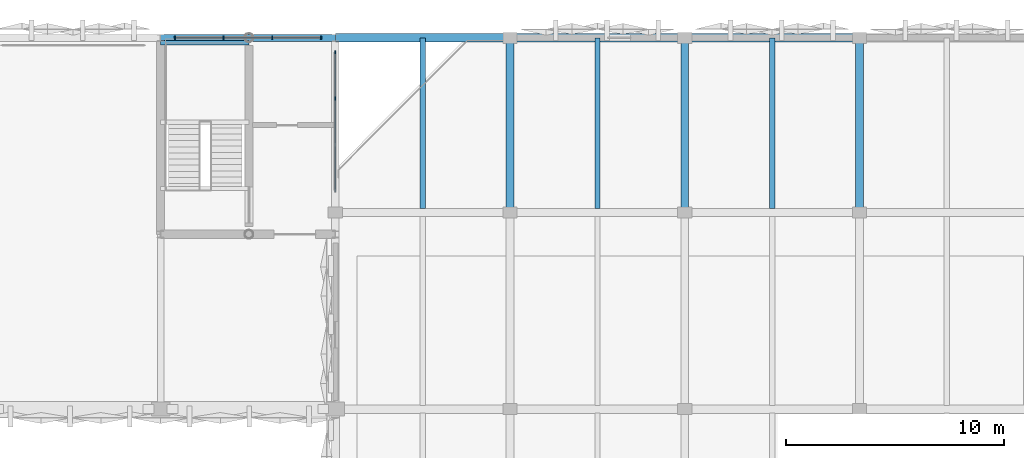
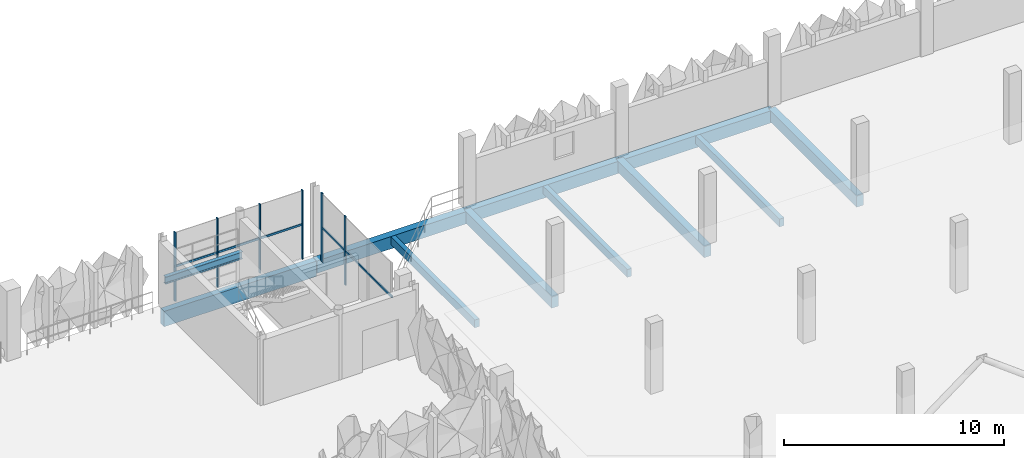
# One storey, part 28 of 83: 11 beams, 8 members, 2 elements without a shape of their own.
"""IFC4 building model written with IfcOpenShell, lengths in metres."""

from ifc_helpers import new_model, si_unit, derived_unit, direction, frame, origin, origin_2d, place, context, subcontext, project, spatial, rectangle, i_section, extrude, material, layer, layer_set, material_profile, profile_set, type_object, element, aggregate, save


model = new_model("IFC4")

# Units and contexts
model_context = context("Model", 3, precision=1e-05, world=origin(), true_north=direction((0.0, 1.0)))
body_context = subcontext(model_context, "Body", "Model", "MODEL_VIEW")
ifc_project = project(units=[si_unit("LENGTHUNIT", "METRE"), si_unit("AREAUNIT", "SQUARE_METRE"), si_unit("VOLUMEUNIT", "CUBIC_METRE"), si_unit("PLANEANGLEUNIT", "RADIAN"), si_unit("MASSUNIT", "GRAM", prefix="KILO"), si_unit("THERMODYNAMICTEMPERATUREUNIT", "KELVIN"), derived_unit("THERMALTRANSMITTANCEUNIT", [(si_unit("POWERUNIT", "WATT"), 1), (si_unit("AREAUNIT", "SQUARE_METRE"), -1), (si_unit("THERMODYNAMICTEMPERATUREUNIT", "KELVIN"), -1)])], contexts=[model_context])

# Site, building, storey
site_placement = place(None, origin())
site = spatial("IfcSite", under=ifc_project, at=site_placement, CompositionType="ELEMENT")
building_placement = place(site_placement, origin())
building = spatial("IfcBuilding", under=site, at=building_placement, Name="Haiyu Intermodal Mobility Hub", CompositionType="ELEMENT")
storey_placement = place(building_placement, frame((0.0, 0.0, 13.39990234375)))
storey = spatial("IfcBuildingStorey", under=building, at=storey_placement, Name="L03", CompositionType="ELEMENT", Elevation=13.39990234375)

# Beams
ifc_material_1 = material(Name="Concrete C40", Category="concrete")
ifc_material_profile_1 = material_profile(ifc_material_1, rectangle(XDim=0.3798828125, YDim=0.679931640625, at=origin_2d()), Name="B380x680")
ifc_profile_set_1 = profile_set([ifc_material_profile_1], Name="Concrete C40")
beam_type_1 = type_object("IfcBeamType", Name="BM-CB15-EXT", PredefinedType="BEAM", material=ifc_profile_set_1)
for number, where, z_axis, x_axis, name in (
    (1, (162.0, 148.0, -0.599853515625), (1.0, 0.0, 0.0), (0.0, 1.0, 0.0), "BM-V6G-L03-049"),
    (2, (170.0, 148.0, -0.599853515625), (1.0, 0.0, 0.0), (0.0, 1.0, 0.0), "BM-V6G-L03-050"),
    (3, (178.0, 148.0, -0.599853515625), (1.0, 0.0, 0.0), (0.0, 1.0, 0.0), "BM-V6G-L03-051"),
):
    element("IfcBeam", number, at=place(storey_placement, frame(where, z_axis=z_axis, x_axis=x_axis)), inside=storey, type_object=beam_type_1, Name=name, PredefinedType="BEAM", context=body_context, shape_type="SweptSolid", body=[
        extrude(rectangle(XDim=0.3798828125, YDim=0.679931640625, at=origin_2d()), origin(), (0.0, 0.0, 1.0), 8.0),
    ])
ifc_material_profile_2 = material_profile(ifc_material_1, rectangle(XDim=0.360107421875, YDim=0.6201171875, at=origin_2d()), Name="B360x620")
ifc_profile_set_2 = profile_set([ifc_material_profile_2], Name="Concrete C40")
beam_type_2 = type_object("IfcBeamType", Name="BM-CB16", PredefinedType="BEAM", material=ifc_profile_set_2)
for number, where, z_axis, x_axis, name in (
    (4, (170.0, 140.0, -0.56982421875), (0.0, 1.0, 0.0), (-1.0, 0.0, 0.0), "BM-V6T-L03-016"),
    (5, (178.0, 140.0, -0.56982421875), (0.0, 1.0, 0.0), (-1.0, 0.0, 0.0), "BM-V6T-L03-024"),
    (6, (186.0, 140.0, -0.56982421875), (0.0, 1.0, 0.0), (-1.0, 0.0, 0.0), "BM-V6T-L03-032"),
):
    element("IfcBeam", number, at=place(storey_placement, frame(where, z_axis=z_axis, x_axis=x_axis)), inside=storey, type_object=beam_type_2, Name=name, PredefinedType="BEAM", context=body_context, shape_type="SweptSolid", body=[
        extrude(rectangle(XDim=0.360107421875, YDim=0.6201171875, at=origin_2d()), origin(), (0.0, 0.0, 1.0), 8.0),
    ])
ifc_material_profile_3 = material_profile(ifc_material_1, rectangle(XDim=0.239990234375, YDim=0.43994140625, at=origin_2d()), Name="B240x440")
ifc_profile_set_3 = profile_set([ifc_material_profile_3], Name="Concrete C40")
beam_type_3 = type_object("IfcBeamType", Name="BM-CB19", PredefinedType="JOIST", material=ifc_profile_set_3)
for number, where, z_axis, x_axis, name in (
    (7, (166.0, 140.175048828125, -0.47998046875), (0.0, 1.0, 0.0), (-1.0, 0.0, 0.0), "BM-V6J-L03-008"),
    (8, (174.0, 140.175048828125, -0.47998046875), (0.0, 1.0, 0.0), (-1.0, 0.0, 0.0), "BM-V6J-L03-016"),
    (9, (182.0, 140.175048828125, -0.47998046875), (0.0, 1.0, 0.0), (-1.0, 0.0, 0.0), "BM-V6J-L03-022"),
):
    element("IfcBeam", number, at=place(storey_placement, frame(where, z_axis=z_axis, x_axis=x_axis)), inside=storey, type_object=beam_type_3, Name=name, PredefinedType="JOIST", context=body_context, shape_type="SweptSolid", body=[
        extrude(rectangle(XDim=0.239990234375, YDim=0.43994140625, at=origin_2d()), origin(), (0.0, 0.0, 1.0), 7.824951171875),
    ])
ifc_material_2 = material(Name="Steel Q355C", Category="steel")
ifc_material_profile_4 = material_profile(ifc_material_2, i_section(OverallWidth=0.199951171875, OverallDepth=0.39990234375, WebThickness=0.008056640625, FlangeThickness=0.012939453125, FilletRadius=0.01611328125, at=origin_2d()), Name="HN400x200x8x13")
ifc_profile_set_4 = profile_set([ifc_material_profile_4], Name="Steel Q355C")
beam_type_4 = type_object("IfcBeamType", Name="BM-SB08", PredefinedType="JOIST", material=ifc_profile_set_4)
beam_1_placement = place(storey_placement, frame((154.0, 147.780029296875, 1.525146484375), z_axis=(1.0, 0.0, 0.0), x_axis=(0.0, 1.0, 0.0)))
element("IfcBeam", 10, at=beam_1_placement, inside=storey, type_object=beam_type_4, Name="Stair Half-Landing Rear Beam C4-L03", PredefinedType="JOIST", context=body_context, shape_type="SweptSolid", body=[
    extrude(i_section(OverallWidth=0.199951171875, OverallDepth=0.39990234375, WebThickness=0.008056640625, FlangeThickness=0.012939453125, FilletRadius=0.01611328125, at=origin_2d()), origin(), (0.0, 0.0, 1.0), 4.050048828125),
])
ifc_material_3 = material(Name="Precast concrete C40", Category="concrete")
ifc_material_profile_5 = material_profile(ifc_material_3, rectangle(XDim=0.320068359375, YDim=0.85009765625, at=origin_2d()), Name="PC320x850")
ifc_profile_set_5 = profile_set([ifc_material_profile_5], Name="Precast concrete C40")
beam_type_5 = type_object("IfcBeamType", Name="BM-SP02", PredefinedType="SPANDREL", material=ifc_profile_set_5)
beam_2_placement = place(storey_placement, frame((154.0, 148.0, -0.699951171875), z_axis=(1.0, 0.0, 0.0), x_axis=(0.0, 1.0, 0.0)))
element("IfcBeam", 11, at=beam_2_placement, inside=storey, type_object=beam_type_5, Name="BM-V4G-L03-056", PredefinedType="SPANDREL", context=body_context, shape_type="SweptSolid", body=[
    extrude(rectangle(XDim=0.320068359375, YDim=0.85009765625, at=origin_2d()), origin(), (0.0, 0.0, 1.0), 8.0),
])

# Curtain wall, members
ifc_material_4 = material(Name="Low-e laminated insulating glass", Category="glass")
ifc_layer = layer(ifc_material_4, 0.199951171875)
ifc_layer_set = layer_set([ifc_layer], Name="Low-e laminated insulating glass")
curtain_wall_type = type_object("IfcCurtainWallType", Name="CW-CW03", PredefinedType="NOTDEFINED", material=ifc_layer_set)
curtain_wall_1_placement = place(storey_placement, origin())
curtain_wall_1 = element("IfcCurtainWall", 12, at=curtain_wall_1_placement, inside=storey, type_object=curtain_wall_type, Name="Curtain Wall CW-C4N-L03-069", PredefinedType="NOTDEFINED")
ifc_material_5 = material(Name="Anodised aluminium 6063-T6", Category="aluminium")
ifc_material_profile_6 = material_profile(ifc_material_5, rectangle(XDim=0.06005859375, YDim=0.14501953125, at=origin_2d()), Name="ALU60x145")
ifc_profile_set_6 = profile_set([ifc_material_profile_6], Name="Anodised aluminium 6063-T6")
member_type_1 = type_object("IfcMemberType", Name="CWM-ML03", PredefinedType="MULLION", material=ifc_profile_set_6)
member_1_placement = place(storey_placement, frame((161.340087890625, 148.0, 0.0), z_axis=(0.0, 0.0, 1.0), x_axis=(1.0, 0.0, 0.0)))
member_1 = element("IfcMember", 13, at=member_1_placement, type_object=member_type_1, Name="CW-C4N-L03-069-ML01", PredefinedType="MULLION", context=body_context, shape_type="SweptSolid", body=[
    extrude(rectangle(XDim=0.06005859375, YDim=0.14501953125, at=origin_2d()), origin(), (0.0, 0.0, 1.0), 3.820068359375),
])
member_2_placement = place(storey_placement, frame((159.113037109375, 148.0, 0.0), z_axis=(0.0, 0.0, 1.0), x_axis=(1.0, 0.0, 0.0)))
member_2 = element("IfcMember", 14, at=member_2_placement, type_object=member_type_1, Name="CW-C4N-L03-069-ML02", PredefinedType="MULLION", context=body_context, shape_type="SweptSolid", body=[
    extrude(rectangle(XDim=0.06005859375, YDim=0.14501953125, at=origin_2d()), origin(), (0.0, 0.0, 1.0), 3.820068359375),
])
member_3_placement = place(storey_placement, frame((156.886962890625, 148.0, 0.0), z_axis=(0.0, 0.0, 1.0), x_axis=(1.0, 0.0, 0.0)))
member_3 = element("IfcMember", 15, at=member_3_placement, type_object=member_type_1, Name="CW-C4N-L03-069-ML03", PredefinedType="MULLION", context=body_context, shape_type="SweptSolid", body=[
    extrude(rectangle(XDim=0.06005859375, YDim=0.14501953125, at=origin_2d()), origin(), (0.0, 0.0, 1.0), 3.820068359375),
])
member_4_placement = place(storey_placement, frame((154.659912109375, 148.0, 0.0), z_axis=(0.0, 0.0, 1.0), x_axis=(1.0, 0.0, 0.0)))
member_4 = element("IfcMember", 16, at=member_4_placement, type_object=member_type_1, Name="CW-C4N-L03-069-ML04", PredefinedType="MULLION", context=body_context, shape_type="SweptSolid", body=[
    extrude(rectangle(XDim=0.06005859375, YDim=0.14501953125, at=origin_2d()), origin(), (0.0, 0.0, 1.0), 3.820068359375),
])

curtain_wall_2_placement = place(storey_placement, origin())
curtain_wall_2 = element("IfcCurtainWall", 17, at=curtain_wall_2_placement, inside=storey, type_object=curtain_wall_type, Name="Curtain Wall CW-C4S-L03-070", PredefinedType="NOTDEFINED")
member_5_placement = place(storey_placement, frame((162.0, 145.222900390625, 0.0), z_axis=(0.0, 0.0, 1.0), x_axis=(1.0, 0.0, 0.0)))
member_5 = element("IfcMember", 18, at=member_5_placement, type_object=member_type_1, Name="CW-C4S-L03-070-ML03", PredefinedType="MULLION", context=body_context, shape_type="SweptSolid", body=[
    extrude(rectangle(XDim=0.06005859375, YDim=0.14501953125, at=origin_2d()), origin(), (0.0, 0.0, 1.0), 3.820068359375),
])
member_6_placement = place(storey_placement, frame((162.0, 147.340087890625, 0.0), z_axis=(0.0, 0.0, 1.0), x_axis=(1.0, 0.0, 0.0)))
member_6 = element("IfcMember", 19, at=member_6_placement, type_object=member_type_1, Name="CW-C4S-L03-070-ML04", PredefinedType="MULLION", context=body_context, shape_type="SweptSolid", body=[
    extrude(rectangle(XDim=0.06005859375, YDim=0.14501953125, at=origin_2d()), origin(), (0.0, 0.0, 1.0), 3.820068359375),
])

# Member
ifc_material_profile_7 = material_profile(ifc_material_5, rectangle(XDim=0.06005859375, YDim=0.114990234375, at=origin_2d()), Name="ALU60x115")
ifc_profile_set_7 = profile_set([ifc_material_profile_7], Name="Anodised aluminium 6063-T6")
member_type_2 = type_object("IfcMemberType", Name="CWM-TR03", PredefinedType="USERDEFINED", material=ifc_profile_set_7)
member_7_placement = place(storey_placement, frame((161.3798828125, 148.0, 1.91015625), z_axis=(-1.0, 0.0, 0.0), x_axis=(0.0, -1.0, 0.0)))
member_7 = element("IfcMember", 20, at=member_7_placement, type_object=member_type_2, Name="CW-C4N-L03-069-TR01", ObjectType="TRANSOM", PredefinedType="USERDEFINED", context=body_context, shape_type="SweptSolid", body=[
    extrude(rectangle(XDim=0.06005859375, YDim=0.114990234375, at=origin_2d()), origin(), (0.0, 0.0, 1.0), 6.759765625),
])

aggregate(curtain_wall_1, [member_1, member_2, member_3, member_4, member_7])

member_8_placement = place(storey_placement, frame((162.0, 140.949951171875, 1.91015625), z_axis=(0.0, 1.0, 0.0), x_axis=(-1.0, 0.0, 0.0)))
member_8 = element("IfcMember", 21, at=member_8_placement, type_object=member_type_2, Name="CW-C4S-L03-070-TR01", ObjectType="TRANSOM", PredefinedType="USERDEFINED", context=body_context, shape_type="SweptSolid", body=[
    extrude(rectangle(XDim=0.06005859375, YDim=0.114990234375, at=origin_2d()), origin(), (0.0, 0.0, 1.0), 6.429931640625),
])

aggregate(curtain_wall_2, [member_5, member_6, member_8])

save(model, "model.ifc")
